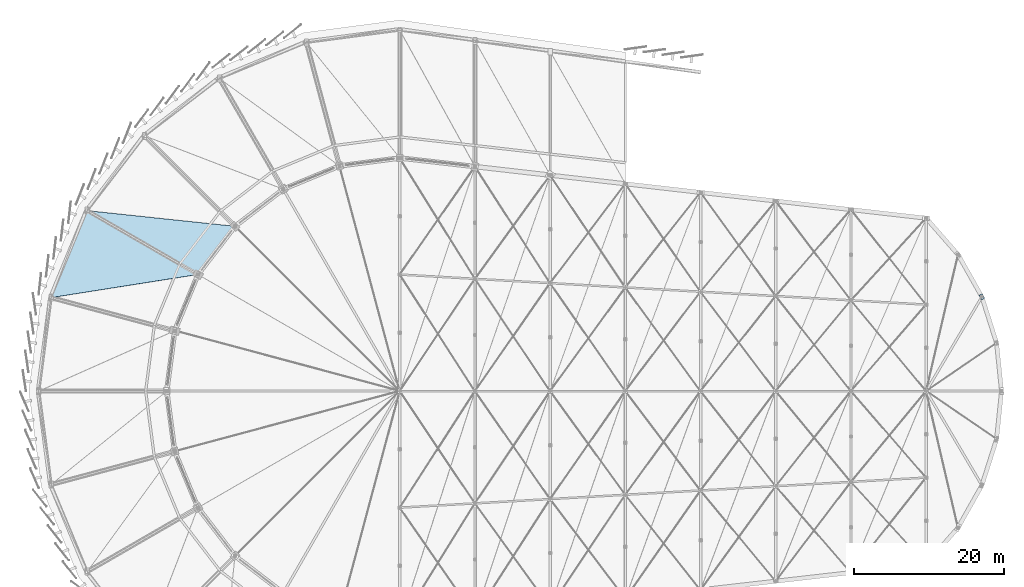
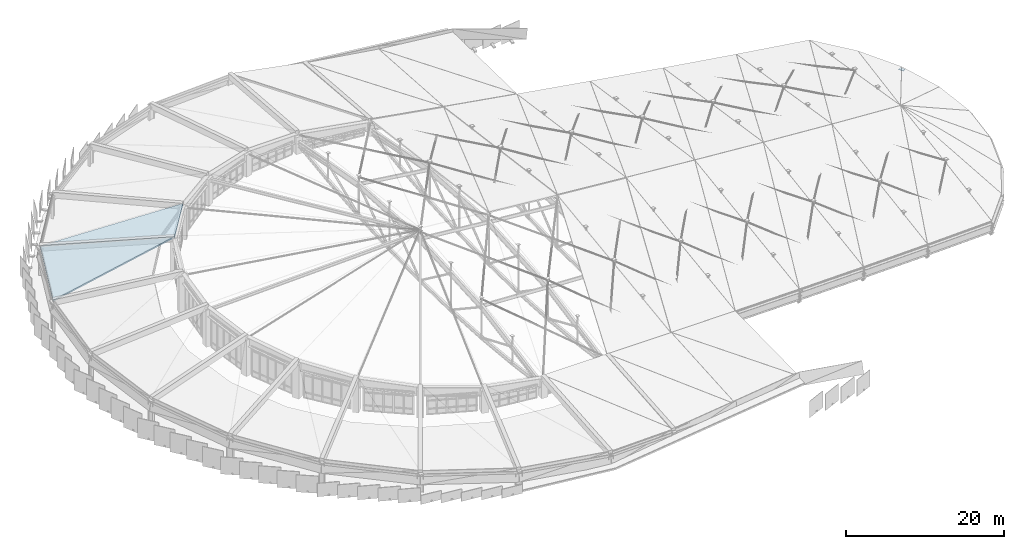
# One storey, part 57 of 68: 2 slabs, 1 plate.
"""IFC4 building model written with IfcOpenShell, lengths in metres."""

import ifcopenshell
import ifcopenshell.guid

model = None  # the IFC model being written
_history = None  # IfcOwnerHistory: only IFC2X3 demands one
_inside = {}  # id of a spatial element -> (the spatial element, [elements in it])
_under = {}  # id of a project, library or spatial element -> (it, [spatial elements below it])
_declared = {}  # id of a project -> (the project, [libraries it declares])
_typed = {}  # id of a type object -> (the type object, [elements of that type])
_made_of = {}  # id of a material, layer set ... -> (it, [elements and type objects made of it])


def new_model(schema):
    """Start an empty IFC model of exactly this schema.

    Asked for "IFC4X3", IfcOpenShell would pick the latest addendum, in which some entities
    have other attributes; the version numbers below select the first issue.
    IFC2X3 requires an IfcOwnerHistory on every rooted entity: one is made here for all.
    """
    global model, _history
    if schema == "IFC4X3":
        model = ifcopenshell.file(schema_version=(4, 3, 0, 0))
    else:
        model = ifcopenshell.file(schema=schema)
    _inside.clear()
    _under.clear()
    _declared.clear()
    _typed.clear()
    _made_of.clear()
    _history = None
    if model.schema == "IFC2X3":
        org = make("IfcOrganization", Name="unknown")
        user = make(
            "IfcPersonAndOrganization",
            ThePerson=make("IfcPerson", FamilyName="unknown"),
            TheOrganization=org,
        )
        app = make(
            "IfcApplication",
            ApplicationDeveloper=org,
            Version="unknown",
            ApplicationFullName="unknown",
            ApplicationIdentifier="unknown",
        )
        _history = make(
            "IfcOwnerHistory",
            OwningUser=user,
            OwningApplication=app,
            ChangeAction="ADDED",
            CreationDate=0,
        )
    return model


def make(cls, **values):
    """One entity of the class cls with the attributes given. An attribute that is None is left unset."""
    return model.create_entity(
        cls, **{name: value for name, value in values.items() if value is not None}
    )


def rooted(cls, **values):
    """An entity with a GlobalId (a new one), such as an element, a storey or a relation."""
    return make(cls, GlobalId=ifcopenshell.guid.new(), OwnerHistory=_history, **values)


def si_unit(unit_type, name, prefix=None):
    """IfcSIUnit, for example si_unit("LENGTHUNIT", "METRE", prefix="MILLI")."""
    return make("IfcSIUnit", UnitType=unit_type, Prefix=prefix, Name=name)


def assignment(units):
    """IfcUnitAssignment: the units of a project."""
    return None if units is None else make("IfcUnitAssignment", Units=units)


def point(xyz):
    """IfcCartesianPoint."""
    return None if xyz is None else make("IfcCartesianPoint", Coordinates=xyz)


def direction(xyz):
    """IfcDirection."""
    return None if xyz is None else make("IfcDirection", DirectionRatios=xyz)


def frame(location, z_axis=None, x_axis=None):
    """IfcAxis2Placement3D, a coordinate frame: its origin and axes. An axis left out is left unset."""
    return make(
        "IfcAxis2Placement3D",
        Location=point(location),
        Axis=direction(z_axis),
        RefDirection=direction(x_axis),
    )


def frame_2d(location, x_axis=None):
    """IfcAxis2Placement2D, a coordinate frame in the plane: its origin and x axis."""
    return make(
        "IfcAxis2Placement2D", Location=point(location), RefDirection=direction(x_axis)
    )


def origin():
    """The frame at (0, 0, 0) with its axes left unset."""
    return frame((0.0, 0.0, 0.0))


def origin_2d():
    """The frame at (0, 0) in the plane with its x axis left unset."""
    return frame_2d((0.0, 0.0))


def place(relative_to, where):
    """IfcLocalPlacement: puts the frame where relative to a parent placement (None: the world)."""
    return make(
        "IfcLocalPlacement", PlacementRelTo=relative_to, RelativePlacement=where
    )


def context(
    kind, dimensions, precision=None, world=None, true_north=None, identifier=None
):
    """IfcGeometricRepresentationContext, for example the 3D "Model" context."""
    return make(
        "IfcGeometricRepresentationContext",
        ContextIdentifier=identifier,
        ContextType=kind,
        CoordinateSpaceDimension=dimensions,
        Precision=precision,
        WorldCoordinateSystem=world,
        TrueNorth=true_north,
    )


def subcontext(parent, identifier, kind, view, scale=None):
    """IfcGeometricRepresentationSubContext, for example "Body" below "Model"."""
    return make(
        "IfcGeometricRepresentationSubContext",
        ContextIdentifier=identifier,
        ContextType=kind,
        ParentContext=parent,
        TargetScale=scale,
        TargetView=view,
    )


def project(units=None, contexts=None):
    """IfcProject with its units and contexts."""
    return rooted(
        "IfcProject",
        Name="project",
        RepresentationContexts=contexts,
        UnitsInContext=assignment(units),
    )


def spatial(cls, under=None, at=None, **own):
    """A site, building, storey or space (cls), placed at a placement, below another one or the project."""
    s = rooted(cls, ObjectPlacement=at, **own)
    if under is not None:
        _under.setdefault(under.id(), (under, []))[1].append(s)
    return s


def polyline(points):
    """IfcPolyline through the points."""
    return make("IfcPolyline", Points=[point(p) for p in points])


def profile(cls, at=None, kind="AREA", **sizes):
    """A parametric profile (cls). Its sizes go by their IFC names, for example OverallWidth=200.0."""
    return make(cls, ProfileType=kind, Position=at, **sizes)


def rectangle(**sizes):
    """IfcRectangleProfileDef."""
    return profile("IfcRectangleProfileDef", **sizes)


def outline(outer, holes=None, kind="AREA"):
    """IfcArbitraryClosedProfileDef: a profile drawn as a closed curve; with holes, ...WithVoids."""
    if holes is None:
        return make("IfcArbitraryClosedProfileDef", ProfileType=kind, OuterCurve=outer)
    return make(
        "IfcArbitraryProfileDefWithVoids",
        ProfileType=kind,
        OuterCurve=outer,
        InnerCurves=holes,
    )


def extrude(swept, where, along, depth):
    """IfcExtrudedAreaSolid: the profile swept, set in the frame where, extruded along a direction by depth."""
    return make(
        "IfcExtrudedAreaSolid",
        SweptArea=swept,
        Position=where,
        ExtrudedDirection=direction(along),
        Depth=depth,
    )


def shape(context_of_items, identifier, shape_type, items):
    """IfcShapeRepresentation: the items that make up one representation, for example the "Body"."""
    return make(
        "IfcShapeRepresentation",
        ContextOfItems=context_of_items,
        RepresentationIdentifier=identifier,
        RepresentationType=shape_type,
        Items=items,
    )


def material(Name=None, Category=None):
    """IfcMaterial."""
    return make("IfcMaterial", Name=Name, Category=Category)


def layer(
    of_material, thickness, ventilated=None, Name=None, Category=None, Priority=None
):
    """IfcMaterialLayer: one layer of a wall or slab, of a material (None: an air gap)."""
    return make(
        "IfcMaterialLayer",
        Material=of_material,
        LayerThickness=thickness,
        IsVentilated=ventilated,
        Name=Name,
        Category=Category,
        Priority=Priority,
    )


def layer_set(layers, Name=None):
    """IfcMaterialLayerSet."""
    return make("IfcMaterialLayerSet", MaterialLayers=layers, LayerSetName=Name)


def made_of(thing, what):
    """Note that an element or type object is made of a material, layer set ...; save() writes the relation."""
    if what is not None:
        _made_of.setdefault(what.id(), (what, []))[1].append(thing)
    return thing


def type_object(cls, material=None, **own):
    """A type object (cls), such as IfcWallType, which elements share."""
    return made_of(rooted(cls, **own), material)


def element(
    cls,
    number,
    at=None,
    inside=None,
    cuts=None,
    type_object=None,
    material=None,
    context=None,
    identifier="Body",
    shape_type=None,
    held_by="IfcProductDefinitionShape",
    body=None,
    shapes=None,
    **own,
):
    """One element of the class cls, such as IfcWall. Its Tag is "e" and its number.

    at: its placement. inside: the storey or other place that contains it. cuts: it is an
    opening in that element (IfcRelVoidsElement). A single representation is given by context,
    identifier, shape_type and body (its items); several are given by shapes. held_by: the class
    of the entity that holds the representations. save() writes the other relations.
    """
    e = rooted(cls, Tag="e%d" % number, ObjectPlacement=at, **own)
    if body is not None:
        shapes = [shape(context, identifier, shape_type, body)]
    if shapes is not None:
        e.Representation = make(held_by, Representations=shapes)
    if inside is not None:
        _inside.setdefault(inside.id(), (inside, []))[1].append(e)
    if cuts is not None:
        rooted(
            "IfcRelVoidsElement", RelatingBuildingElement=cuts, RelatedOpeningElement=e
        )
    if type_object is not None:
        _typed.setdefault(type_object.id(), (type_object, []))[1].append(e)
    return made_of(e, material)


def aggregate(whole, parts):
    """IfcRelAggregates: a whole, such as a stair, and the parts it consists of."""
    return rooted("IfcRelAggregates", RelatingObject=whole, RelatedObjects=parts)


def save(model, path):
    """Write the relations noted so far, then the file.

    IfcRelAggregates (storeys below a building ...), IfcRelContainedInSpatialStructure (elements
    in a storey), IfcRelDefinesByType, IfcRelAssociatesMaterial and IfcRelDeclares: one each for
    every whole, place, type object, material and project.
    """
    for whole, parts in _under.values():
        aggregate(whole, parts)
    for where, things in _inside.values():
        rooted(
            "IfcRelContainedInSpatialStructure",
            RelatedElements=things,
            RelatingStructure=where,
        )
    for kind, things in _typed.values():
        rooted("IfcRelDefinesByType", RelatedObjects=things, RelatingType=kind)
    for what, things in _made_of.values():
        rooted("IfcRelAssociatesMaterial", RelatedObjects=things, RelatingMaterial=what)
    for by, libraries in _declared.values():
        rooted("IfcRelDeclares", RelatingContext=by, RelatedDefinitions=libraries)
    model.write(path)


model = new_model("IFC4")

# Units and contexts
model_context = context("Model", 3, precision=1e-05, world=origin(), true_north=direction((0.0, 1.0)))
body_context = subcontext(model_context, "Body", "Model", "MODEL_VIEW")
ifc_project = project(units=[si_unit("LENGTHUNIT", "METRE"), si_unit("AREAUNIT", "SQUARE_METRE"), si_unit("VOLUMEUNIT", "CUBIC_METRE"), si_unit("PLANEANGLEUNIT", "RADIAN"), si_unit("MASSUNIT", "GRAM", prefix="KILO")], contexts=[model_context])

# Site, building, storey
site_placement = place(None, origin())
site = spatial("IfcSite", under=ifc_project, at=site_placement, CompositionType="ELEMENT")
building_placement = place(site_placement, origin())
building = spatial("IfcBuilding", under=site, at=building_placement, Name="Sohan Crest Arena", CompositionType="ELEMENT")
storey_placement = place(building_placement, frame((0.0, 0.0, 27.0)))
storey = spatial("IfcBuildingStorey", under=building, at=storey_placement, Name="RF", CompositionType="ELEMENT", Elevation=27.0)

# Slabs
ifc_material_1 = material(Name="Concrete C40/50", Category="concrete")
ifc_layer_1 = layer(ifc_material_1, 0.195068359375, Name="Concrete C40/50")
ifc_layer_set_1 = layer_set([ifc_layer_1], Name="Concrete C40/50")
slab_type = type_object("IfcSlabType", Name="SL-RF02", PredefinedType="ROOF", material=ifc_layer_set_1)
slab_1_placement = place(storey_placement, frame((76.06396484375, 99.9169921875, 5.29296875), z_axis=(-0.037109766296, 0.105580503115, 0.993718080045), x_axis=(-0.993284354656, 0.105150480163, -0.048265591447)))
element("IfcSlab", 1, at=slab_1_placement, inside=storey, type_object=slab_type, Name="Sloped roof deck panel RF-SL-056", PredefinedType="ROOF", context=body_context, shape_type="SweptSolid", body=[
    extrude(outline(polyline([(0.0, 0.0), (19.74244655051211, 4.163336342344337e-16), (4.187252745382127, 6.924581844562927), (0.0, 0.0)])), origin(), (0.0, 0.0, -1.0), 0.195068359375),
])
slab_2_placement = place(storey_placement, frame((71.1298828125, 93.50390625, 5.7900390625), z_axis=(-0.066691254211, 0.054781515904, 0.99626866965), x_axis=(-0.862859707458, 0.498218389695, -0.085156100279)))
element("IfcSlab", 2, at=slab_2_placement, inside=storey, type_object=slab_type, Name="Sloped roof deck panel RF-SL-057", PredefinedType="ROOF", context=body_context, shape_type="SweptSolid", body=[
    extrude(outline(polyline([(0.0, 0.0), (17.026979477957447, 2.220446049250313e-16), (15.373317901697241, 12.40012902382404), (0.0, 0.0)])), origin(), (0.0, 0.0, -1.0), 0.195068359375),
])

# Plate
ifc_material_2 = material(Name="Steel S355", Category="steel")
ifc_layer_2 = layer(ifc_material_2, 0.028076171875, Name="Steel S355")
ifc_layer_set_2 = layer_set([ifc_layer_2], Name="Steel S355")
plate_type = type_object("IfcPlateType", Name="STR-PL-GP05", PredefinedType="USERDEFINED", material=ifc_layer_set_2)
plate_placement = place(storey_placement, frame((175.408935546875, 90.544921875, -3.14111328125), z_axis=(0.0, 0.0, 1.0), x_axis=(-0.490903753615, 0.87121381112, 0.0)))
element("IfcPlate", 3, at=plate_placement, inside=storey, type_object=plate_type, Name="Ring beam node gusset plate GP-RB26", ObjectType="GUSSET PLATE", PredefinedType="USERDEFINED", context=body_context, shape_type="SweptSolid", body=[
    extrude(rectangle(XDim=0.719970703125, YDim=0.43994140625, at=origin_2d()), origin(), (0.0, 0.0, 1.0), 0.028076171875),
])

save(model, "model.ifc")
